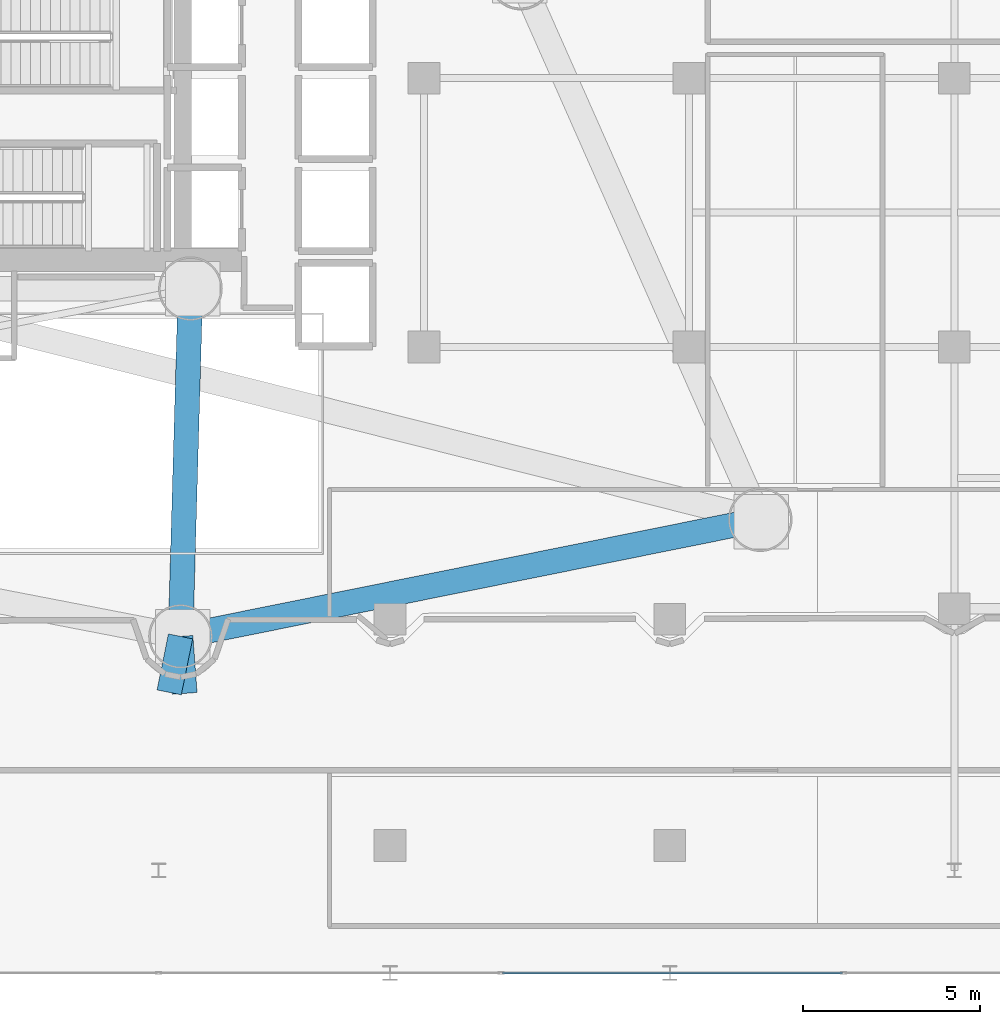
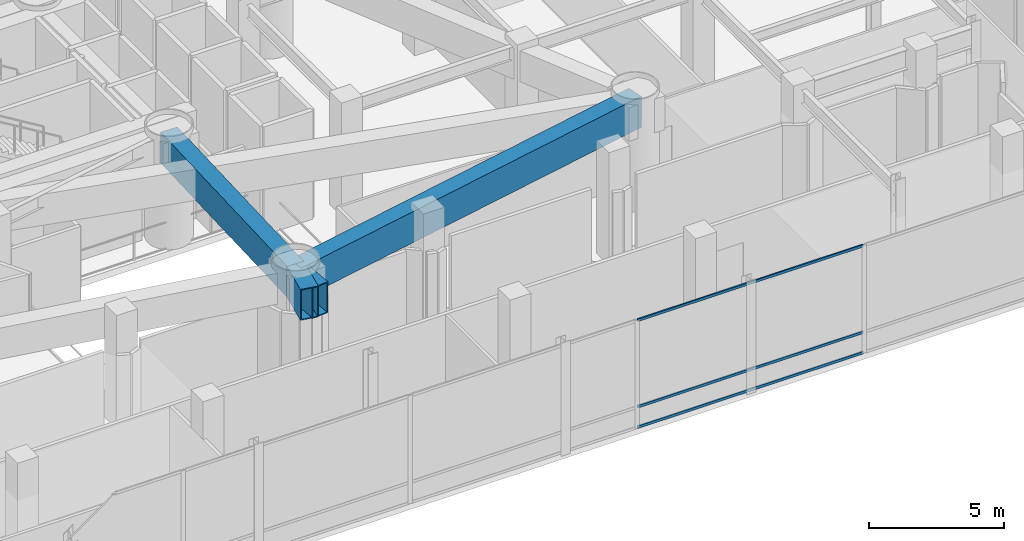
# One storey, part 14 of 40: 4 beams, 3 members, 1 element without a shape of its own.
"""IFC4 building model written with IfcOpenShell, lengths in metres."""

from ifc_helpers import new_model, si_unit, direction, frame, origin, origin_2d, place, context, subcontext, project, spatial, hollow_rectangle, extrude, material, layer, layer_set, material_profile, profile_set, type_object, element, aggregate, save


model = new_model("IFC4")

# Units and contexts
model_context = context("Model", 3, precision=1e-05, world=origin(), true_north=direction((0.0, 1.0)))
body_context = subcontext(model_context, "Body", "Model", "MODEL_VIEW")
ifc_project = project(units=[si_unit("LENGTHUNIT", "METRE"), si_unit("AREAUNIT", "SQUARE_METRE"), si_unit("VOLUMEUNIT", "CUBIC_METRE"), si_unit("PLANEANGLEUNIT", "RADIAN"), si_unit("MASSUNIT", "GRAM", prefix="KILO")], contexts=[model_context])

# Site, building, storey
site_placement = place(None, origin())
site = spatial("IfcSite", under=ifc_project, at=site_placement, CompositionType="ELEMENT")
building_placement = place(site_placement, origin())
building = spatial("IfcBuilding", under=site, at=building_placement, Name="Qianvela Tower", CompositionType="ELEMENT")
storey_placement = place(building_placement, frame((0.0, 0.0, 20.60009765625)))
storey = spatial("IfcBuildingStorey", under=building, at=storey_placement, Name="L04", CompositionType="ELEMENT", Elevation=20.60009765625)

# Beams
ifc_material_1 = material(Name="Steel Q420GJC", Category="steel")
ifc_material_profile_1 = material_profile(ifc_material_1, hollow_rectangle(XDim=0.699951171875, YDim=1.39990234375, WallThickness=0.0400390625, at=origin_2d()), Name="TG-BOX-1400x700x40")
ifc_profile_set_1 = profile_set([ifc_material_profile_1], Name="Steel Q420GJC")
beam_type_1 = type_object("IfcBeamType", Name="BM-TG-RAD-1400", PredefinedType="BEAM", material=ifc_profile_set_1)
beam_1_placement = place(storey_placement, frame((38.1201171875, 14.01611328125, 4.097900390625), z_axis=(0.980322065881, 0.197404779951, 0.0), x_axis=(-0.197404779951, 0.980322065881, 0.0)))
element("IfcBeam", 1, at=beam_1_placement, inside=storey, type_object=beam_type_1, Name="L04 Perimeter Belt-Truss Top Ring Girder 6", PredefinedType="BEAM", context=body_context, shape_type="SweptSolid", body=[
    extrude(hollow_rectangle(XDim=0.699951171875, YDim=1.39990234375, WallThickness=0.0400390625, at=origin_2d()), origin(), (0.0, 0.0, 1.0), 16.720947265625),
])
beam_2_placement = place(storey_placement, frame((38.39990234375, 23.85009765625, 4.097900390625), z_axis=(-0.028439336302, -0.999595520273, 0.0), x_axis=(0.999595520273, -0.028439336302, 0.0)))
element("IfcBeam", 2, at=beam_2_placement, inside=storey, type_object=beam_type_1, Name="L04 Radial Outrigger Top Transfer Girder 6", PredefinedType="BEAM", context=body_context, shape_type="SweptSolid", body=[
    extrude(hollow_rectangle(XDim=0.699951171875, YDim=1.39990234375, WallThickness=0.0400390625, at=origin_2d()), origin(), (0.0, 0.0, 1.0), 9.837890625),
])
ifc_material_2 = material(Name="Steel Q420GJC", Category="steel")
ifc_material_profile_2 = material_profile(ifc_material_2, hollow_rectangle(XDim=0.699951171875, YDim=1.39990234375, WallThickness=0.0400390625, at=origin_2d()), Name="TG-BOX-1400x700x40")
ifc_profile_set_2 = profile_set([ifc_material_profile_2], Name="Steel Q420GJC")
beam_type_2 = type_object("IfcBeamType", Name="BM-TG-STEP-1400", PredefinedType="BEAM", material=ifc_profile_set_2)
beam_3_placement = place(storey_placement, frame((38.1201171875, 14.01611328125, 4.094970703125), z_axis=(-0.198962443484, -0.980007115323, 0.0), x_axis=(0.980007115323, -0.198962443484, 0.0)))
element("IfcBeam", 3, at=beam_3_placement, inside=storey, type_object=beam_type_2, Name="L04 Mega-Brace Base Transfer Bracket 5", PredefinedType="BEAM", context=body_context, shape_type="SweptSolid", body=[
    extrude(hollow_rectangle(XDim=0.699951171875, YDim=1.39990234375, WallThickness=0.0400390625, at=origin_2d()), origin(), (0.0, 0.0, 1.0), 1.615966796875),
])
beam_4_placement = place(storey_placement, frame((38.1201171875, 14.01611328125, 4.094970703125), z_axis=(0.072814379849, -0.997345509885, 0.0), x_axis=(0.997345509885, 0.072814379849, 0.0)))
element("IfcBeam", 4, at=beam_4_placement, inside=storey, type_object=beam_type_2, Name="L04 Mega-Brace Base Transfer Bracket 6", PredefinedType="BEAM", context=body_context, shape_type="SweptSolid", body=[
    extrude(hollow_rectangle(XDim=0.699951171875, YDim=1.39990234375, WallThickness=0.0400390625, at=origin_2d()), origin(), (0.0, 0.0, 1.0), 1.6162109375),
])

# Curtain wall, members
ifc_material_3 = material(Name="Anodised Architectural Aluminium and Low-E Glass", Category="aluminium")
ifc_layer = layer(ifc_material_3, 0.179931640625)
ifc_layer_set = layer_set([ifc_layer], Name="Anodised Architectural Aluminium and Low-E Glass")
curtain_wall_type = type_object("IfcCurtainWallType", Name="CW-COMMONS", PredefinedType="USERDEFINED", material=ifc_layer_set)
curtain_wall_placement = place(storey_placement, origin())
curtain_wall = element("IfcCurtainWall", 5, at=curtain_wall_placement, inside=storey, type_object=curtain_wall_type, Name="L04 CW-COMMONS Curtain Wall 01", ObjectType="CURTAIN_WALL_SYSTEM", PredefinedType="USERDEFINED")
ifc_material_4 = material(Name="Anodised Architectural Aluminium 6063-T6", Category="aluminium")
ifc_material_profile_3 = material_profile(ifc_material_4, hollow_rectangle(XDim=0.06005859375, YDim=0.114990234375, WallThickness=0.00390625, at=origin_2d()), Name="ALU-TRAN-60x115")
ifc_profile_set_3 = profile_set([ifc_material_profile_3], Name="Anodised Architectural Aluminium 6063-T6")
member_type = type_object("IfcMemberType", Name="CW-COMMONS-TRAN", PredefinedType="USERDEFINED", material=ifc_profile_set_3)
member_1_placement = place(storey_placement, frame((47.21826171875, 4.5, 0.02978515625), z_axis=(1.0, 0.0, 0.0), x_axis=(0.0, 1.0, 0.0)))
member_1 = element("IfcMember", 6, at=member_1_placement, type_object=member_type, Name="CW-2 transom 5.1", ObjectType="TRANSOM", PredefinedType="USERDEFINED", context=body_context, shape_type="SweptSolid", body=[
    extrude(hollow_rectangle(XDim=0.06005859375, YDim=0.114990234375, WallThickness=0.00390625, at=origin_2d()), origin(), (0.0, 0.0, 1.0), 9.613525390625),
])
member_2_placement = place(storey_placement, frame((47.21826171875, 4.5, 0.949951171875), z_axis=(1.0, 0.0, 0.0), x_axis=(0.0, 1.0, 0.0)))
member_2 = element("IfcMember", 7, at=member_2_placement, type_object=member_type, Name="CW-2 transom 5.2", ObjectType="TRANSOM", PredefinedType="USERDEFINED", context=body_context, shape_type="SweptSolid", body=[
    extrude(hollow_rectangle(XDim=0.06005859375, YDim=0.114990234375, WallThickness=0.00390625, at=origin_2d()), origin(), (0.0, 0.0, 1.0), 9.613525390625),
])
member_3_placement = place(storey_placement, frame((47.21826171875, 4.5, 4.849853515625), z_axis=(1.0, 0.0, 0.0), x_axis=(0.0, 1.0, 0.0)))
member_3 = element("IfcMember", 8, at=member_3_placement, type_object=member_type, Name="CW-2 transom 5.3", ObjectType="TRANSOM", PredefinedType="USERDEFINED", context=body_context, shape_type="SweptSolid", body=[
    extrude(hollow_rectangle(XDim=0.06005859375, YDim=0.114990234375, WallThickness=0.00390625, at=origin_2d()), origin(), (0.0, 0.0, 1.0), 9.613525390625),
])
aggregate(curtain_wall, [member_1, member_2, member_3])

save(model, "model.ifc")
